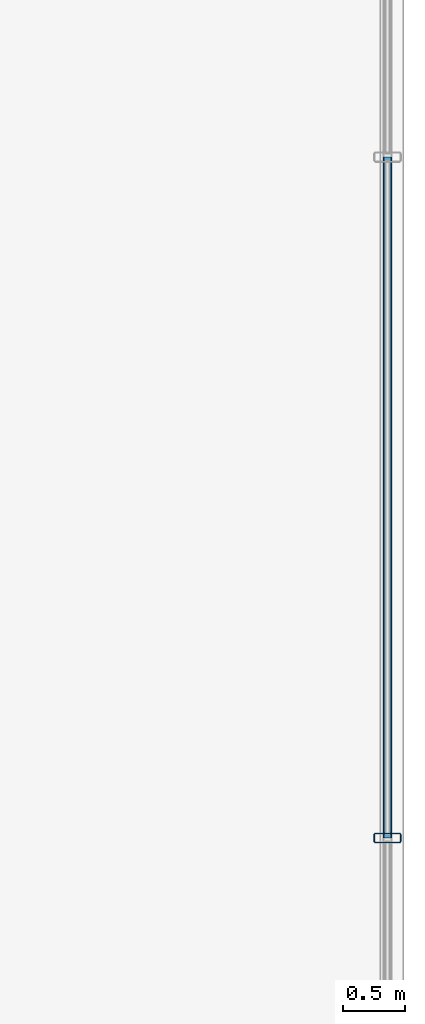
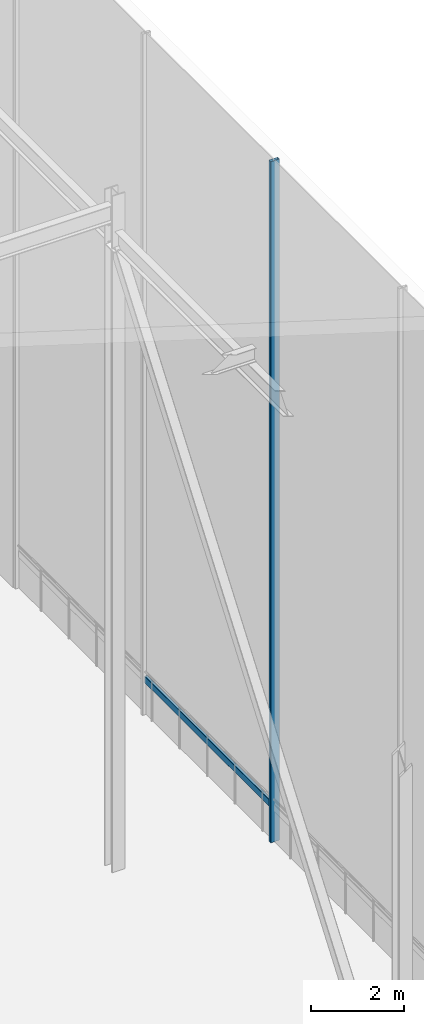
# One storey, part 32 of 39: 2 members, 1 element without a shape of its own.
"""IFC4 building model written with IfcOpenShell, lengths in metres."""

from ifc_helpers import new_model, si_unit, direction, frame, origin, origin_2d, place, context, subcontext, project, spatial, hollow_rectangle, extrude, material, layer, layer_set, material_profile, profile_set, type_object, element, aggregate, save


model = new_model("IFC4")

# Units and contexts
model_context = context("Model", 3, precision=1e-05, world=origin(), true_north=direction((0.0, 1.0)))
body_context = subcontext(model_context, "Body", "Model", "MODEL_VIEW")
ifc_project = project(units=[si_unit("LENGTHUNIT", "METRE"), si_unit("AREAUNIT", "SQUARE_METRE"), si_unit("VOLUMEUNIT", "CUBIC_METRE"), si_unit("PLANEANGLEUNIT", "RADIAN"), si_unit("MASSUNIT", "GRAM", prefix="KILO")], contexts=[model_context])

# Site, building, storey
site_placement = place(None, origin())
site = spatial("IfcSite", under=ifc_project, at=site_placement, CompositionType="ELEMENT")
building_placement = place(site_placement, origin())
building = spatial("IfcBuilding", under=site, at=building_placement, Name="Korimba Cascade Residences", CompositionType="ELEMENT")
storey_placement = place(building_placement, frame((0.0, 0.0, 264.199951171875)))
storey = spatial("IfcBuildingStorey", under=building, at=storey_placement, Name="RF", CompositionType="ELEMENT", Elevation=264.199951171875)

# Curtain wall, members
ifc_material_1 = material(Name="Anodised Aluminium Curtain Wall Framing", Category="aluminium")
ifc_layer = layer(ifc_material_1, 0.179931640625)
ifc_layer_set = layer_set([ifc_layer], Name="Anodised Aluminium Curtain Wall Framing")
curtain_wall_type = type_object("IfcCurtainWallType", Name="CW-CRNW-SYS5", PredefinedType="NOTDEFINED", material=ifc_layer_set)
curtain_wall_placement = place(storey_placement, origin())
curtain_wall = element("IfcCurtainWall", 1, at=curtain_wall_placement, inside=storey, type_object=curtain_wall_type, Name="RF Curtain Wall CW-RF-CRN-E-1", PredefinedType="NOTDEFINED")
ifc_material_2 = material(Name="Anodised Aluminium Mullion", Category="aluminium")
ifc_material_profile_1 = material_profile(ifc_material_2, hollow_rectangle(XDim=0.080078125, YDim=0.219970703125, WallThickness=0.00634765625, InnerFilletRadius=0.00634765625, OuterFilletRadius=0.0126953125, at=origin_2d()), Name="Anodised Aluminium Mullion")
ifc_profile_set_1 = profile_set([ifc_material_profile_1], Name="Anodised Aluminium Mullion")
member_type_1 = type_object("IfcMemberType", Name="CWM-MUL-220", PredefinedType="MULLION", material=ifc_profile_set_1)
member_1_placement = place(storey_placement, frame((131.875, 78.7333984375, 0.0), z_axis=(0.0, 0.0, 1.0), x_axis=(0.0, 1.0, 0.0)))
member_1 = element("IfcMember", 2, at=member_1_placement, type_object=member_type_1, Name="CW-RF-CRN-E-1 Mullion 5", PredefinedType="MULLION", context=body_context, shape_type="SweptSolid", body=[
    extrude(hollow_rectangle(XDim=0.080078125, YDim=0.219970703125, WallThickness=0.00634765625, InnerFilletRadius=0.00634765625, OuterFilletRadius=0.0126953125, at=origin_2d()), origin(), (0.0, 0.0, 1.0), 17.945556640625),
])
ifc_material_3 = material(Name="Anodised Aluminium Transom", Category="aluminium")
ifc_material_profile_2 = material_profile(ifc_material_3, hollow_rectangle(XDim=0.070068359375, YDim=0.179931640625, WallThickness=0.0048828125, InnerFilletRadius=0.0048828125, OuterFilletRadius=0.010009765625, at=origin_2d()), Name="Anodised Aluminium Transom")
ifc_profile_set_2 = profile_set([ifc_material_profile_2], Name="Anodised Aluminium Transom")
member_type_2 = type_object("IfcMemberType", Name="CWM-TRN-150", PredefinedType="USERDEFINED", material=ifc_profile_set_2)
member_2_placement = place(storey_placement, frame((131.875, 78.7333984375, 0.900146484375), z_axis=(0.0, 1.0, 0.0), x_axis=(-1.0, 0.0, 0.0)))
member_2 = element("IfcMember", 3, at=member_2_placement, type_object=member_type_2, Name="CW-RF-CRN-E-1 Transom 5", ObjectType="TRANSOM", PredefinedType="USERDEFINED", context=body_context, shape_type="SweptSolid", body=[
    extrude(hollow_rectangle(XDim=0.070068359375, YDim=0.179931640625, WallThickness=0.0048828125, InnerFilletRadius=0.0048828125, OuterFilletRadius=0.010009765625, at=origin_2d()), origin(), (0.0, 0.0, 1.0), 5.533203125),
])
aggregate(curtain_wall, [member_1, member_2])

save(model, "model.ifc")
